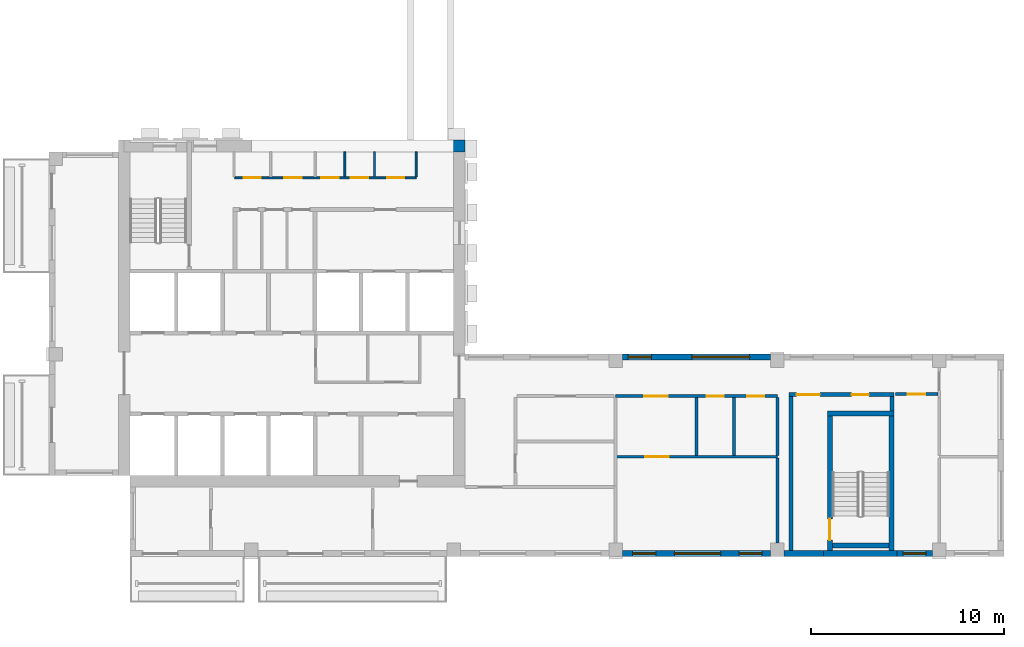
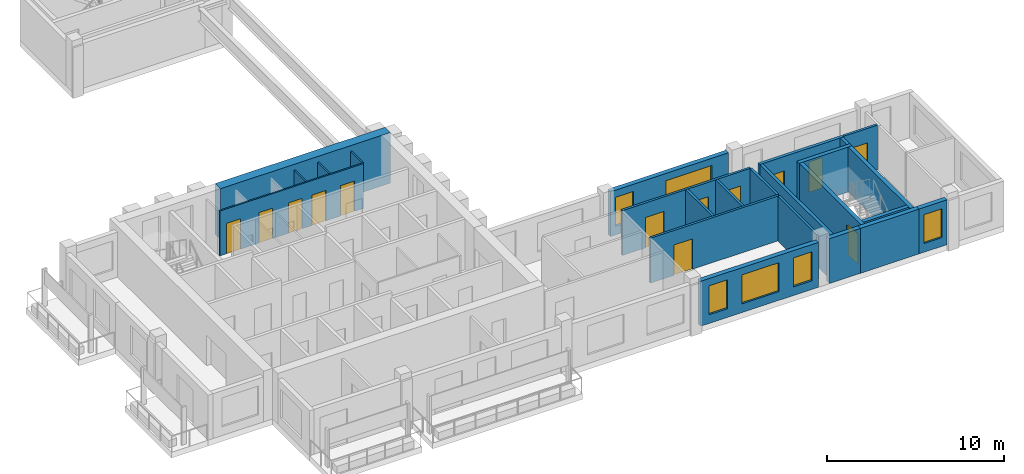
# One storey, part 4 of 9: 24 walls, 13 doors, 6 windows, 19 openings.
"""IFC4 building model written with IfcOpenShell, lengths in metres."""

from ifc_helpers import new_model, si_unit, direction, frame, frame_2d, origin, place, context, subcontext, project, spatial, rectangle, extrude, source, transform, mapped, material, layer, layer_set, type_object, element, fill, save


model = new_model("IFC4")

# Units and contexts
model_context = context("Model", 3, precision=1e-05, world=origin(), true_north=direction((0.0, 1.0)))
body_context = subcontext(model_context, "Body", "Model", "MODEL_VIEW")
ifc_project = project(units=[si_unit("LENGTHUNIT", "METRE"), si_unit("AREAUNIT", "SQUARE_METRE"), si_unit("VOLUMEUNIT", "CUBIC_METRE"), si_unit("PLANEANGLEUNIT", "RADIAN"), si_unit("MASSUNIT", "GRAM", prefix="KILO")], contexts=[model_context])

# Site, building, storey
site_placement = place(None, origin())
site = spatial("IfcSite", under=ifc_project, at=site_placement, CompositionType="ELEMENT")
building_placement = place(site_placement, origin())
building = spatial("IfcBuilding", under=site, at=building_placement, Name="Aurelian Terraces", CompositionType="ELEMENT")
storey_placement = place(building_placement, frame((0.0, 0.0, 319.5)))
storey = spatial("IfcBuildingStorey", under=building, at=storey_placement, Name="L74", CompositionType="ELEMENT", Elevation=319.5)

# Wall
ifc_material_1 = material(Name="Concrete fc' 55 MPa", Category="concrete")
ifc_layer_1 = layer(ifc_material_1, 0.6)
ifc_layer_set_1 = layer_set([ifc_layer_1], Name="CORE WALL 600 FC55")
wall_type_1 = type_object("IfcWallType", Name="CORE WALL 600 FC55", PredefinedType="SHEAR", material=ifc_layer_set_1)
shared_shape_1 = source(origin(), body_context, "Body", "SweptSolid", [
    extrude(rectangle(XDim=11.1, YDim=0.6, at=frame_2d((5.55, 0.0))), origin(), (0.0, 0.0, 1.0), 3.5),
])
wall_1_placement = place(storey_placement, frame((10.5, 21.3, 0.0), z_axis=(0.0, 0.0, 1.0), x_axis=(1.0, 0.0, 0.0)))
element("IfcWall", 1, at=wall_1_placement, inside=storey, type_object=wall_type_1, Name="Core wall N L74", PredefinedType="SHEAR", context=body_context, shape_type="MappedRepresentation", body=[
    mapped(shared_shape_1, transform((0.0, 0.0, 0.0), scale=1.0)),
])

# Wall, openings, windows
ifc_material_2 = material(Name="Terracotta rainscreen cladding", Category="masonry")
ifc_layer_2 = layer(ifc_material_2, 0.3)
ifc_layer_set_2 = layer_set([ifc_layer_2], Name="EW-300")
wall_type_2 = type_object("IfcWallType", Name="EW-300", PredefinedType="STANDARD", material=ifc_layer_set_2)
shared_shape_2 = source(origin(), body_context, "Body", "SweptSolid", [
    extrude(rectangle(XDim=7.7, YDim=0.3, at=frame_2d((3.85, 0.0))), origin(), (0.0, 0.0, 1.0), 3.1),
])
wall_2_placement = place(storey_placement, frame((29.75, 0.15, 0.0), z_axis=(0.0, 0.0, 1.0), x_axis=(1.0, 0.0, 0.0)))
wall_2 = element("IfcWall", 2, at=wall_2_placement, inside=storey, type_object=wall_type_2, Name="External wall L74 F01.4", PredefinedType="STANDARD", context=body_context, shape_type="MappedRepresentation", body=[
    mapped(shared_shape_2, transform((0.0, 0.0, 0.0), scale=1.0)),
])
shared_shape_3 = source(origin(), body_context, "Body", "SweptSolid", [
    extrude(rectangle(XDim=1.2, YDim=2.0, at=frame_2d((0.6, 1.0))), frame((0.0, 0.16, 0.0), z_axis=(0.0, -1.0, 0.0), x_axis=(1.0, 0.0, 0.0)), (0.0, 0.0, 1.0), 0.32),
])
opening_1_placement = place(wall_2_placement, frame((0.5375, 0.0, 0.6)))
opening_1 = element("IfcOpeningElement", 3, at=opening_1_placement, cuts=wall_2, Name="Opening W1220", PredefinedType="OPENING", context=body_context, shape_type="MappedRepresentation", body=[
    mapped(shared_shape_3, transform((0.0, 0.0, 0.0), scale=1.0)),
])
opening_2_placement = place(wall_2_placement, frame((6.0625, 0.0, 0.6)))
opening_2 = element("IfcOpeningElement", 4, at=opening_2_placement, cuts=wall_2, Name="Opening W1220", PredefinedType="OPENING", context=body_context, shape_type="MappedRepresentation", body=[
    mapped(shared_shape_3, transform((0.0, 0.0, 0.0), scale=1.0)),
])
shared_shape_4 = source(origin(), body_context, "Body", "SweptSolid", [
    extrude(rectangle(XDim=2.4, YDim=2.0, at=frame_2d((1.2, 1.0))), frame((0.0, 0.16, 0.0), z_axis=(0.0, -1.0, 0.0), x_axis=(1.0, 0.0, 0.0)), (0.0, 0.0, 1.0), 0.32),
])
opening_3_placement = place(wall_2_placement, frame((2.7, 0.0, 0.6)))
opening_3 = element("IfcOpeningElement", 5, at=opening_3_placement, cuts=wall_2, Name="Opening W2420", PredefinedType="OPENING", context=body_context, shape_type="MappedRepresentation", body=[
    mapped(shared_shape_4, transform((0.0, 0.0, 0.0), scale=1.0)),
])
ifc_material_3 = material(Name="Clear glazing", Category="glass")
window_type_1 = type_object("IfcWindowType", Name="W-1200x2000", PartitioningType="SINGLE_PANEL", PredefinedType="WINDOW", material=ifc_material_3)
shared_shape_5 = source(origin(), body_context, "Body", "SweptSolid", [
    extrude(rectangle(XDim=1.2, YDim=2.0, at=frame_2d((0.6, 1.0))), frame((0.0, 0.03, 0.0), z_axis=(0.0, -1.0, 0.0), x_axis=(1.0, 0.0, 0.0)), (0.0, 0.0, 1.0), 0.06),
])
window_1_placement = place(opening_1_placement, origin())
window_1 = element("IfcWindow", 6, at=window_1_placement, inside=storey, type_object=window_type_1, Name="Window L74 L74-F01-04-0", OverallHeight=2.0, OverallWidth=1.2, PartitioningType="SINGLE_PANEL", PredefinedType="WINDOW", context=body_context, shape_type="MappedRepresentation", body=[
    mapped(shared_shape_5, transform((0.0, 0.0, 0.0), scale=1.0)),
])
fill(opening_1, window_1)
window_2_placement = place(opening_2_placement, origin())
window_2 = element("IfcWindow", 7, at=window_2_placement, inside=storey, type_object=window_type_1, Name="Window L74 L74-F01-04-1", OverallHeight=2.0, OverallWidth=1.2, PartitioningType="SINGLE_PANEL", PredefinedType="WINDOW", context=body_context, shape_type="MappedRepresentation", body=[
    mapped(shared_shape_5, transform((0.0, 0.0, 0.0), scale=1.0)),
])
fill(opening_2, window_2)
window_type_2 = type_object("IfcWindowType", Name="W-2400x2000", PartitioningType="SINGLE_PANEL", PredefinedType="WINDOW", material=ifc_material_3)
shared_shape_6 = source(origin(), body_context, "Body", "SweptSolid", [
    extrude(rectangle(XDim=2.4, YDim=2.0, at=frame_2d((1.2, 1.0))), frame((0.0, 0.03, 0.0), z_axis=(0.0, -1.0, 0.0), x_axis=(1.0, 0.0, 0.0)), (0.0, 0.0, 1.0), 0.06),
])
window_3_placement = place(opening_3_placement, origin())
window_3 = element("IfcWindow", 8, at=window_3_placement, inside=storey, type_object=window_type_2, Name="Window L74 L74-F01-04-G0-21", OverallHeight=2.0, OverallWidth=2.4, PartitioningType="SINGLE_PANEL", PredefinedType="WINDOW", context=body_context, shape_type="MappedRepresentation", body=[
    mapped(shared_shape_6, transform((0.0, 0.0, 0.0), scale=1.0)),
])
fill(opening_3, window_3)

wall_3_placement = place(storey_placement, frame((37.45, 10.35, 0.0), z_axis=(0.0, 0.0, 1.0), x_axis=(-1.0, 0.0, 0.0)))
wall_3 = element("IfcWall", 9, at=wall_3_placement, inside=storey, type_object=wall_type_2, Name="External wall L74 F03.8", PredefinedType="STANDARD", context=body_context, shape_type="MappedRepresentation", body=[
    mapped(shared_shape_2, transform((0.0, 0.0, 0.0), scale=1.0)),
])
shared_shape_7 = source(origin(), body_context, "Body", "SweptSolid", [
    extrude(rectangle(XDim=3.0, YDim=2.0, at=frame_2d((1.5, 1.0))), frame((0.0, 0.16, 0.0), z_axis=(0.0, -1.0, 0.0), x_axis=(1.0, 0.0, 0.0)), (0.0, 0.0, 1.0), 0.32),
])
opening_4_placement = place(wall_3_placement, frame((1.09, 0.0, 0.6)))
opening_4 = element("IfcOpeningElement", 10, at=opening_4_placement, cuts=wall_3, Name="Opening W3020", PredefinedType="OPENING", context=body_context, shape_type="MappedRepresentation", body=[
    mapped(shared_shape_7, transform((0.0, 0.0, 0.0), scale=1.0)),
])
opening_5_placement = place(wall_3_placement, frame((6.19, 0.0, 0.6)))
opening_5 = element("IfcOpeningElement", 11, at=opening_5_placement, cuts=wall_3, Name="Opening W1220", PredefinedType="OPENING", context=body_context, shape_type="MappedRepresentation", body=[
    mapped(shared_shape_3, transform((0.0, 0.0, 0.0), scale=1.0)),
])
window_type_3 = type_object("IfcWindowType", Name="W-3000x2000", PartitioningType="SINGLE_PANEL", PredefinedType="WINDOW", material=ifc_material_3)
shared_shape_8 = source(origin(), body_context, "Body", "SweptSolid", [
    extrude(rectangle(XDim=3.0, YDim=2.0, at=frame_2d((1.5, 1.0))), frame((0.0, 0.03, 0.0), z_axis=(0.0, -1.0, 0.0), x_axis=(1.0, 0.0, 0.0)), (0.0, 0.0, 1.0), 0.06),
])
window_4_placement = place(opening_4_placement, origin())
window_4 = element("IfcWindow", 12, at=window_4_placement, inside=storey, type_object=window_type_3, Name="Window L74 L74-F03-08-3", OverallHeight=2.0, OverallWidth=3.0, PartitioningType="SINGLE_PANEL", PredefinedType="WINDOW", context=body_context, shape_type="MappedRepresentation", body=[
    mapped(shared_shape_8, transform((0.0, 0.0, 0.0), scale=1.0)),
])
fill(opening_4, window_4)
window_5_placement = place(opening_5_placement, origin())
window_5 = element("IfcWindow", 13, at=window_5_placement, inside=storey, type_object=window_type_1, Name="Window L74 L74-F03-08-4", OverallHeight=2.0, OverallWidth=1.2, PartitioningType="SINGLE_PANEL", PredefinedType="WINDOW", context=body_context, shape_type="MappedRepresentation", body=[
    mapped(shared_shape_5, transform((0.0, 0.0, 0.0), scale=1.0)),
])
fill(opening_5, window_5)

# Walls
shared_shape_9 = source(origin(), body_context, "Body", "SweptSolid", [
    extrude(rectangle(XDim=2.05, YDim=0.3, at=frame_2d((1.025, 0.0))), origin(), (0.0, 0.0, 1.0), 3.1),
])
wall_4_placement = place(storey_placement, frame((38.15, 0.15, 0.0), z_axis=(0.0, 0.0, 1.0), x_axis=(1.0, 0.0, 0.0)))
element("IfcWall", 14, at=wall_4_placement, inside=storey, type_object=wall_type_2, Name="External wall L74 F01.5", PredefinedType="STANDARD", context=body_context, shape_type="MappedRepresentation", body=[
    mapped(shared_shape_9, transform((0.0, 0.0, 0.0), scale=1.0)),
])
ifc_material_4 = material(Name="Concrete fc' 40 MPa", Category="concrete")
ifc_layer_3 = layer(ifc_material_4, 0.3)
ifc_layer_set_3 = layer_set([ifc_layer_3], Name="STAIR BAY WALL 300")
wall_type_3 = type_object("IfcWallType", Name="STAIR BAY WALL 300", PredefinedType="SOLIDWALL", material=ifc_layer_set_3)
shared_shape_10 = source(origin(), body_context, "Body", "SweptSolid", [
    extrude(rectangle(XDim=3.8, YDim=0.3, at=frame_2d((1.9, 0.0))), origin(), (0.0, 0.0, 1.0), 3.1),
])
wall_5_placement = place(storey_placement, frame((40.2, 0.15, 0.0), z_axis=(0.0, 0.0, 1.0), x_axis=(1.0, 0.0, 0.0)))
element("IfcWall", 15, at=wall_5_placement, inside=storey, type_object=wall_type_3, Name="Stair bay wall L74 F01.5", PredefinedType="SOLIDWALL", context=body_context, shape_type="MappedRepresentation", body=[
    mapped(shared_shape_10, transform((0.0, 0.0, 0.0), scale=1.0)),
])

# Wall, opening, window
shared_shape_11 = source(origin(), body_context, "Body", "SweptSolid", [
    extrude(rectangle(XDim=1.85, YDim=0.3, at=frame_2d((0.925, 0.0))), origin(), (0.0, 0.0, 1.0), 3.1),
])
wall_6_placement = place(storey_placement, frame((44.0, 0.15, 0.0), z_axis=(0.0, 0.0, 1.0), x_axis=(1.0, 0.0, 0.0)))
wall_6 = element("IfcWall", 16, at=wall_6_placement, inside=storey, type_object=wall_type_2, Name="External wall L74 F01.5", PredefinedType="STANDARD", context=body_context, shape_type="MappedRepresentation", body=[
    mapped(shared_shape_11, transform((0.0, 0.0, 0.0), scale=1.0)),
])
opening_6_placement = place(wall_6_placement, frame((0.325, 0.0, 0.6)))
opening_6 = element("IfcOpeningElement", 17, at=opening_6_placement, cuts=wall_6, Name="Opening W1220", PredefinedType="OPENING", context=body_context, shape_type="MappedRepresentation", body=[
    mapped(shared_shape_3, transform((0.0, 0.0, 0.0), scale=1.0)),
])
window_6_placement = place(opening_6_placement, origin())
window_6 = element("IfcWindow", 18, at=window_6_placement, inside=storey, type_object=window_type_1, Name="Window L74 L74-F01-05-P2", OverallHeight=2.0, OverallWidth=1.2, PartitioningType="SINGLE_PANEL", PredefinedType="WINDOW", context=body_context, shape_type="MappedRepresentation", body=[
    mapped(shared_shape_5, transform((0.0, 0.0, 0.0), scale=1.0)),
])
fill(opening_6, window_6)

# Wall, opening, door
ifc_layer_4 = layer(ifc_material_4, 0.25)
ifc_layer_set_4 = layer_set([ifc_layer_4], Name="Stair enclosure wall 250")
wall_type_4 = type_object("IfcWallType", Name="Stair enclosure wall 250", PredefinedType="SOLIDWALL", material=ifc_layer_set_4)
shared_shape_12 = source(origin(), body_context, "Body", "SweptSolid", [
    extrude(rectangle(XDim=7.0, YDim=0.25, at=frame_2d((3.5, 0.0))), origin(), (0.0, 0.0, 1.0), 3.1),
])
wall_7_placement = place(storey_placement, frame((40.525, 0.3, 0.0), z_axis=(0.0, 0.0, 1.0), x_axis=(0.0, 1.0, 0.0)))
wall_7 = element("IfcWall", 19, at=wall_7_placement, inside=storey, type_object=wall_type_4, Name="L74 core wall ST-S2-W", PredefinedType="SOLIDWALL", context=body_context, shape_type="MappedRepresentation", body=[
    mapped(shared_shape_12, transform((0.0, 0.0, 0.0), scale=1.0)),
])
shared_shape_13 = source(origin(), body_context, "Body", "SweptSolid", [
    extrude(rectangle(XDim=1.1, YDim=2.1, at=frame_2d((0.55, 1.05))), frame((0.0, 0.135, 0.0), z_axis=(0.0, -1.0, 0.0), x_axis=(1.0, 0.0, 0.0)), (0.0, 0.0, 1.0), 0.27),
])
opening_7_placement = place(wall_7_placement, frame((0.55, 0.0, 0.0)))
opening_7 = element("IfcOpeningElement", 20, at=opening_7_placement, cuts=wall_7, Name="Opening 67725", PredefinedType="OPENING", context=body_context, shape_type="MappedRepresentation", body=[
    mapped(shared_shape_13, transform((0.0, 0.0, 0.0), scale=1.0)),
])
ifc_material_5 = material(Name="Steel door leaf", Category="steel")
door_type_1 = type_object("IfcDoorType", Name="Core fire door 1100x2100", OperationType="SINGLE_SWING_LEFT", PredefinedType="DOOR", material=ifc_material_5)
shared_shape_14 = source(origin(), body_context, "Body", "SweptSolid", [
    extrude(rectangle(XDim=1.1, YDim=2.1, at=frame_2d((0.55, 1.05))), frame((0.0, 0.025, 0.0), z_axis=(0.0, -1.0, 0.0), x_axis=(1.0, 0.0, 0.0)), (0.0, 0.0, 1.0), 0.05),
])
door_1_placement = place(opening_7_placement, origin())
door_1 = element("IfcDoor", 21, at=door_1_placement, inside=storey, type_object=door_type_1, Name="Stair door 67725", OperationType="SINGLE_SWING_LEFT", OverallHeight=2.1, OverallWidth=1.1, PredefinedType="DOOR", context=body_context, shape_type="MappedRepresentation", body=[
    mapped(shared_shape_14, transform((0.0, 0.0, 0.0), scale=1.0)),
])
fill(opening_7, door_1)

# Walls
wall_8_placement = place(storey_placement, frame((43.725, 0.3, 0.0), z_axis=(0.0, 0.0, 1.0), x_axis=(0.0, 1.0, 0.0)))
element("IfcWall", 22, at=wall_8_placement, inside=storey, type_object=wall_type_4, Name="L74 core wall ST-S2-E", PredefinedType="SOLIDWALL", context=body_context, shape_type="MappedRepresentation", body=[
    mapped(shared_shape_12, transform((0.0, 0.0, 0.0), scale=1.0)),
])
shared_shape_15 = source(origin(), body_context, "Body", "SweptSolid", [
    extrude(rectangle(XDim=3.45, YDim=0.25, at=frame_2d((1.725, 0.0))), origin(), (0.0, 0.0, 1.0), 3.1),
])
wall_9_placement = place(storey_placement, frame((40.4, 7.425, 0.0), z_axis=(0.0, 0.0, 1.0), x_axis=(1.0, 0.0, 0.0)))
element("IfcWall", 23, at=wall_9_placement, inside=storey, type_object=wall_type_4, Name="L74 core wall ST-S2-N", PredefinedType="SOLIDWALL", context=body_context, shape_type="MappedRepresentation", body=[
    mapped(shared_shape_15, transform((0.0, 0.0, 0.0), scale=1.0)),
])
ifc_material_6 = material(Name="Gypsum board on steel studs", Category="steel")
ifc_layer_5 = layer(ifc_material_6, 0.2)
ifc_layer_set_5 = layer_set([ifc_layer_5], Name="Core partition 200")
wall_type_5 = type_object("IfcWallType", Name="Core partition 200", PredefinedType="PARTITIONING", material=ifc_layer_set_5)
shared_shape_16 = source(origin(), body_context, "Body", "SweptSolid", [
    extrude(rectangle(XDim=8.0, YDim=0.2, at=frame_2d((4.0, 0.0))), origin(), (0.0, 0.0, 1.0), 3.1),
])
wall_10_placement = place(storey_placement, frame((38.5, 0.3, 0.0), z_axis=(0.0, 0.0, 1.0), x_axis=(0.0, 1.0, 0.0)))
element("IfcWall", 24, at=wall_10_placement, inside=storey, type_object=wall_type_5, Name="L74 core wall ST-S2-VW", PredefinedType="PARTITIONING", context=body_context, shape_type="MappedRepresentation", body=[
    mapped(shared_shape_16, transform((0.0, 0.0, 0.0), scale=1.0)),
])

# Wall, openings, doors
shared_shape_17 = source(origin(), body_context, "Body", "SweptSolid", [
    extrude(rectangle(XDim=5.45, YDim=0.2, at=frame_2d((2.725, 0.0))), origin(), (0.0, 0.0, 1.0), 3.1),
])
wall_11_placement = place(storey_placement, frame((38.4, 8.4, 0.0), z_axis=(0.0, 0.0, 1.0), x_axis=(1.0, 0.0, 0.0)))
wall_11 = element("IfcWall", 25, at=wall_11_placement, inside=storey, type_object=wall_type_5, Name="L74 core wall ST-S2-BN", PredefinedType="PARTITIONING", context=body_context, shape_type="MappedRepresentation", body=[
    mapped(shared_shape_17, transform((0.0, 0.0, 0.0), scale=1.0)),
])
shared_shape_18 = source(origin(), body_context, "Body", "SweptSolid", [
    extrude(rectangle(XDim=1.2, YDim=2.1, at=frame_2d((0.6, 1.05))), frame((0.0, 0.11, 0.0), z_axis=(0.0, -1.0, 0.0), x_axis=(1.0, 0.0, 0.0)), (0.0, 0.0, 1.0), 0.22),
])
opening_8_placement = place(wall_11_placement, frame((0.4, 0.0, 0.0)))
opening_8 = element("IfcOpeningElement", 26, at=opening_8_placement, cuts=wall_11, Name="Opening 67726", PredefinedType="OPENING", context=body_context, shape_type="MappedRepresentation", body=[
    mapped(shared_shape_18, transform((0.0, 0.0, 0.0), scale=1.0)),
])
shared_shape_19 = source(origin(), body_context, "Body", "SweptSolid", [
    extrude(rectangle(XDim=0.9, YDim=2.1, at=frame_2d((0.45, 1.05))), frame((0.0, 0.11, 0.0), z_axis=(0.0, -1.0, 0.0), x_axis=(1.0, 0.0, 0.0)), (0.0, 0.0, 1.0), 0.22),
])
opening_9_placement = place(wall_11_placement, frame((3.25, 0.0, 0.0)))
opening_9 = element("IfcOpeningElement", 27, at=opening_9_placement, cuts=wall_11, Name="Opening 67727", PredefinedType="OPENING", context=body_context, shape_type="MappedRepresentation", body=[
    mapped(shared_shape_19, transform((0.0, 0.0, 0.0), scale=1.0)),
])
door_type_2 = type_object("IfcDoorType", Name="Core riser door 900x2100", OperationType="SINGLE_SWING_LEFT", PredefinedType="DOOR", material=ifc_material_5)
shared_shape_20 = source(origin(), body_context, "Body", "SweptSolid", [
    extrude(rectangle(XDim=0.9, YDim=2.1, at=frame_2d((0.45, 1.05))), frame((0.0, 0.025, 0.0), z_axis=(0.0, -1.0, 0.0), x_axis=(1.0, 0.0, 0.0)), (0.0, 0.0, 1.0), 0.05),
])
door_2_placement = place(opening_9_placement, origin())
door_2 = element("IfcDoor", 28, at=door_2_placement, inside=storey, type_object=door_type_2, Name="Riser door 67727", OperationType="SINGLE_SWING_LEFT", OverallHeight=2.1, OverallWidth=0.9, PredefinedType="DOOR", context=body_context, shape_type="MappedRepresentation", body=[
    mapped(shared_shape_20, transform((0.0, 0.0, 0.0), scale=1.0)),
])
fill(opening_9, door_2)
door_type_3 = type_object("IfcDoorType", Name="Core fire door 1200x2100 right", OperationType="SINGLE_SWING_RIGHT", PredefinedType="DOOR", material=ifc_material_5)
shared_shape_21 = source(origin(), body_context, "Body", "SweptSolid", [
    extrude(rectangle(XDim=1.2, YDim=2.1, at=frame_2d((0.6, 1.05))), frame((0.0, 0.025, 0.0), z_axis=(0.0, -1.0, 0.0), x_axis=(1.0, 0.0, 0.0)), (0.0, 0.0, 1.0), 0.05),
])
door_3_placement = place(opening_8_placement, origin())
door_3 = element("IfcDoor", 29, at=door_3_placement, inside=storey, type_object=door_type_3, Name="Vestibule door 67726", OperationType="SINGLE_SWING_RIGHT", OverallHeight=2.1, OverallWidth=1.2, PredefinedType="DOOR", context=body_context, shape_type="MappedRepresentation", body=[
    mapped(shared_shape_21, transform((0.0, 0.0, 0.0), scale=1.0)),
])
fill(opening_8, door_3)

# Walls
shared_shape_22 = source(origin(), body_context, "Body", "SweptSolid", [
    extrude(rectangle(XDim=0.75, YDim=0.2, at=frame_2d((0.375, 0.0))), origin(), (0.0, 0.0, 1.0), 3.1),
])
wall_12_placement = place(storey_placement, frame((43.75, 7.55, 0.0), z_axis=(0.0, 0.0, 1.0), x_axis=(0.0, 1.0, 0.0)))
element("IfcWall", 30, at=wall_12_placement, inside=storey, type_object=wall_type_5, Name="L74 core wall ST-S2-RE", PredefinedType="PARTITIONING", context=body_context, shape_type="MappedRepresentation", body=[
    mapped(shared_shape_22, transform((0.0, 0.0, 0.0), scale=1.0)),
])
shared_shape_23 = source(origin(), body_context, "Body", "SweptSolid", [
    extrude(rectangle(XDim=2.95, YDim=0.25, at=frame_2d((1.475, 0.0))), origin(), (0.0, 0.0, 1.0), 3.1),
])
wall_13_placement = place(storey_placement, frame((40.65, 0.575, 0.0), z_axis=(0.0, 0.0, 1.0), x_axis=(1.0, 0.0, 0.0)))
element("IfcWall", 31, at=wall_13_placement, inside=storey, type_object=wall_type_4, Name="L74 core wall ST-S2-SS", PredefinedType="SOLIDWALL", context=body_context, shape_type="MappedRepresentation", body=[
    mapped(shared_shape_23, transform((0.0, 0.0, 0.0), scale=1.0)),
])
ifc_layer_6 = layer(ifc_material_6, 0.1)
ifc_layer_set_6 = layer_set([ifc_layer_6], Name="Core partition 100")
wall_type_6 = type_object("IfcWallType", Name="Core partition 100", PredefinedType="PARTITIONING", material=ifc_layer_set_6)
shared_shape_24 = source(origin(), body_context, "Body", "SweptSolid", [
    extrude(rectangle(XDim=1.3, YDim=0.1, at=frame_2d((0.65, 0.0))), origin(), (0.0, 0.0, 1.0), 3.1),
])
for number, where, z_axis, x_axis, name in (
    (32, (15.3516, 19.7, 0.0), (0.0, 0.0, 1.0), (0.0, 1.0, 0.0), "L74 core wall SV-NP3"),
    (33, (16.8926, 19.7, 0.0), (0.0, 0.0, 1.0), (0.0, 1.0, 0.0), "L74 core wall SV-NP4"),
    (34, (19.05, 19.7, 0.0), (0.0, 0.0, 1.0), (0.0, 1.0, 0.0), "L74 core wall SV-NW1"),
):
    element("IfcWall", number, at=place(storey_placement, frame(where, z_axis=z_axis, x_axis=x_axis)), inside=storey, type_object=wall_type_6, Name=name, PredefinedType="PARTITIONING", context=body_context, shape_type="MappedRepresentation", body=[
        mapped(shared_shape_24, transform((0.0, 0.0, 0.0), scale=1.0)),
    ])

# Wall, openings, doors
shared_shape_25 = source(origin(), body_context, "Body", "SweptSolid", [
    extrude(rectangle(XDim=9.4, YDim=0.1, at=frame_2d((4.7, 0.0))), origin(), (0.0, 0.0, 1.0), 3.1),
])
wall_14_placement = place(storey_placement, frame((9.65, 19.65, 0.0), z_axis=(0.0, 0.0, 1.0), x_axis=(1.0, 0.0, 0.0)))
wall_14 = element("IfcWall", 35, at=wall_14_placement, inside=storey, type_object=wall_type_6, Name="L74 core wall SV-N1", PredefinedType="PARTITIONING", context=body_context, shape_type="MappedRepresentation", body=[
    mapped(shared_shape_25, transform((0.0, 0.0, 0.0), scale=1.0)),
])
shared_shape_26 = source(origin(), body_context, "Body", "SweptSolid", [
    extrude(rectangle(XDim=0.9, YDim=2.1, at=frame_2d((0.45, 1.05))), frame((0.0, 0.06, 0.0), z_axis=(0.0, -1.0, 0.0), x_axis=(1.0, 0.0, 0.0)), (0.0, 0.0, 1.0), 0.12),
])
opening_10_placement = place(wall_14_placement, frame((0.4496, 0.0, 0.0)))
opening_10 = element("IfcOpeningElement", 36, at=opening_10_placement, cuts=wall_14, Name="Opening 67718", PredefinedType="OPENING", context=body_context, shape_type="MappedRepresentation", body=[
    mapped(shared_shape_26, transform((0.0, 0.0, 0.0), scale=1.0)),
])
opening_11_placement = place(wall_14_placement, frame((2.5549, 0.0, 0.0)))
opening_11 = element("IfcOpeningElement", 37, at=opening_11_placement, cuts=wall_14, Name="Opening 67719", PredefinedType="OPENING", context=body_context, shape_type="MappedRepresentation", body=[
    mapped(shared_shape_26, transform((0.0, 0.0, 0.0), scale=1.0)),
])
opening_12_placement = place(wall_14_placement, frame((4.4812, 0.0, 0.0)))
opening_12 = element("IfcOpeningElement", 38, at=opening_12_placement, cuts=wall_14, Name="Opening 67720", PredefinedType="OPENING", context=body_context, shape_type="MappedRepresentation", body=[
    mapped(shared_shape_26, transform((0.0, 0.0, 0.0), scale=1.0)),
])
opening_13_placement = place(wall_14_placement, frame((6.0221, 0.0, 0.0)))
opening_13 = element("IfcOpeningElement", 39, at=opening_13_placement, cuts=wall_14, Name="Opening 67721", PredefinedType="OPENING", context=body_context, shape_type="MappedRepresentation", body=[
    mapped(shared_shape_26, transform((0.0, 0.0, 0.0), scale=1.0)),
])
opening_14_placement = place(wall_14_placement, frame((7.8963, 0.0, 0.0)))
opening_14 = element("IfcOpeningElement", 40, at=opening_14_placement, cuts=wall_14, Name="Opening 67722", PredefinedType="OPENING", context=body_context, shape_type="MappedRepresentation", body=[
    mapped(shared_shape_26, transform((0.0, 0.0, 0.0), scale=1.0)),
])
door_type_4 = type_object("IfcDoorType", Name="Core service door 900x2100 right", OperationType="SINGLE_SWING_RIGHT", PredefinedType="DOOR", material=ifc_material_5)
door_4_placement = place(opening_10_placement, origin())
door_4 = element("IfcDoor", 41, at=door_4_placement, inside=storey, type_object=door_type_4, Name="Room door 67718", OperationType="SINGLE_SWING_RIGHT", OverallHeight=2.1, OverallWidth=0.9, PredefinedType="DOOR", context=body_context, shape_type="MappedRepresentation", body=[
    mapped(shared_shape_20, transform((0.0, 0.0, 0.0), scale=1.0)),
])
fill(opening_10, door_4)
door_type_5 = type_object("IfcDoorType", Name="Core service door 900x2100", OperationType="SINGLE_SWING_LEFT", PredefinedType="DOOR", material=ifc_material_5)
door_5_placement = place(opening_11_placement, origin())
door_5 = element("IfcDoor", 42, at=door_5_placement, inside=storey, type_object=door_type_5, Name="Room door 67719", OperationType="SINGLE_SWING_LEFT", OverallHeight=2.1, OverallWidth=0.9, PredefinedType="DOOR", context=body_context, shape_type="MappedRepresentation", body=[
    mapped(shared_shape_20, transform((0.0, 0.0, 0.0), scale=1.0)),
])
fill(opening_11, door_5)
door_6_placement = place(opening_12_placement, origin())
door_6 = element("IfcDoor", 43, at=door_6_placement, inside=storey, type_object=door_type_4, Name="Room door 67720", OperationType="SINGLE_SWING_RIGHT", OverallHeight=2.1, OverallWidth=0.9, PredefinedType="DOOR", context=body_context, shape_type="MappedRepresentation", body=[
    mapped(shared_shape_20, transform((0.0, 0.0, 0.0), scale=1.0)),
])
fill(opening_12, door_6)
door_7_placement = place(opening_13_placement, origin())
door_7 = element("IfcDoor", 44, at=door_7_placement, inside=storey, type_object=door_type_5, Name="Room door 67721", OperationType="SINGLE_SWING_LEFT", OverallHeight=2.1, OverallWidth=0.9, PredefinedType="DOOR", context=body_context, shape_type="MappedRepresentation", body=[
    mapped(shared_shape_20, transform((0.0, 0.0, 0.0), scale=1.0)),
])
fill(opening_13, door_7)
door_8_placement = place(opening_14_placement, origin())
door_8 = element("IfcDoor", 45, at=door_8_placement, inside=storey, type_object=door_type_4, Name="Room door 67722", OperationType="SINGLE_SWING_RIGHT", OverallHeight=2.1, OverallWidth=0.9, PredefinedType="DOOR", context=body_context, shape_type="MappedRepresentation", body=[
    mapped(shared_shape_20, transform((0.0, 0.0, 0.0), scale=1.0)),
])
fill(opening_14, door_8)

# Wall, opening, door
ifc_layer_7 = layer(ifc_material_6, 0.15)
ifc_layer_set_7 = layer_set([ifc_layer_7], Name="Partition 150")
wall_type_7 = type_object("IfcWallType", Name="Partition 150", PredefinedType="PARTITIONING", material=ifc_layer_set_7)
shared_shape_27 = source(origin(), body_context, "Body", "SweptSolid", [
    extrude(rectangle(XDim=8.4, YDim=0.15, at=frame_2d((4.2, 0.0))), origin(), (0.0, 0.0, 1.0), 3.1),
])
wall_15_placement = place(storey_placement, frame((37.8, 5.175, 0.0), z_axis=(0.0, 0.0, 1.0), x_axis=(-1.0, 0.0, 0.0)))
wall_15 = element("IfcWall", 46, at=wall_15_placement, inside=storey, type_object=wall_type_7, Name="Partition", PredefinedType="PARTITIONING", context=body_context, shape_type="MappedRepresentation", body=[
    mapped(shared_shape_27, transform((0.0, 0.0, 0.0), scale=1.0)),
])
shared_shape_28 = source(origin(), body_context, "Body", "SweptSolid", [
    extrude(rectangle(XDim=1.2, YDim=2.1, at=frame_2d((0.6, 1.05))), frame((0.0, 0.085, 0.0), z_axis=(0.0, -1.0, 0.0), x_axis=(1.0, 0.0, 0.0)), (0.0, 0.0, 1.0), 0.17),
])
opening_15_placement = place(wall_15_placement, frame((5.6476, 0.0, 0.0)))
opening_15 = element("IfcOpeningElement", 47, at=opening_15_placement, cuts=wall_15, Name="Opening 774008", PredefinedType="OPENING", context=body_context, shape_type="MappedRepresentation", body=[
    mapped(shared_shape_28, transform((0.0, 0.0, 0.0), scale=1.0)),
])
ifc_material_7 = material(Name="Timber door leaf", Category="wood")
door_type_6 = type_object("IfcDoorType", Name="Room door 1200x2100 right", OperationType="SINGLE_SWING_RIGHT", PredefinedType="DOOR", material=ifc_material_7)
door_9_placement = place(opening_15_placement, origin())
door_9 = element("IfcDoor", 48, at=door_9_placement, inside=storey, type_object=door_type_6, Name="Door 774008", OperationType="SINGLE_SWING_RIGHT", OverallHeight=2.1, OverallWidth=1.2, PredefinedType="DOOR", context=body_context, shape_type="MappedRepresentation", body=[
    mapped(shared_shape_21, transform((0.0, 0.0, 0.0), scale=1.0)),
])
fill(opening_15, door_9)

# Wall, openings, doors
ifc_layer_8 = layer(ifc_material_6, 0.15)
ifc_layer_set_8 = layer_set([ifc_layer_8], Name="Fire partition 150")
wall_type_8 = type_object("IfcWallType", Name="Fire partition 150", PredefinedType="PARTITIONING", material=ifc_layer_set_8)
wall_16_placement = place(storey_placement, frame((37.8, 8.325, 0.0), z_axis=(0.0, 0.0, 1.0), x_axis=(-1.0, 0.0, 0.0)))
wall_16 = element("IfcWall", 49, at=wall_16_placement, inside=storey, type_object=wall_type_8, Name="Corridor wall", PredefinedType="PARTITIONING", context=body_context, shape_type="MappedRepresentation", body=[
    mapped(shared_shape_27, transform((0.0, 0.0, 0.0), scale=1.0)),
])
opening_16_placement = place(wall_16_placement, frame((5.6976, 0.0, 0.0)))
opening_16 = element("IfcOpeningElement", 50, at=opening_16_placement, cuts=wall_16, Name="Opening 774007", PredefinedType="OPENING", context=body_context, shape_type="MappedRepresentation", body=[
    mapped(shared_shape_28, transform((0.0, 0.0, 0.0), scale=1.0)),
])
shared_shape_29 = source(origin(), body_context, "Body", "SweptSolid", [
    extrude(rectangle(XDim=0.9, YDim=2.1, at=frame_2d((0.45, 1.05))), frame((0.0, 0.085, 0.0), z_axis=(0.0, -1.0, 0.0), x_axis=(1.0, 0.0, 0.0)), (0.0, 0.0, 1.0), 0.17),
])
opening_17_placement = place(wall_16_placement, frame((2.7734, 0.0, 0.0)))
opening_17 = element("IfcOpeningElement", 51, at=opening_17_placement, cuts=wall_16, Name="Opening 774009", PredefinedType="OPENING", context=body_context, shape_type="MappedRepresentation", body=[
    mapped(shared_shape_29, transform((0.0, 0.0, 0.0), scale=1.0)),
])
opening_18_placement = place(wall_16_placement, frame((0.6758, 0.0, 0.0)))
opening_18 = element("IfcOpeningElement", 52, at=opening_18_placement, cuts=wall_16, Name="Opening 774010", PredefinedType="OPENING", context=body_context, shape_type="MappedRepresentation", body=[
    mapped(shared_shape_29, transform((0.0, 0.0, 0.0), scale=1.0)),
])
door_type_7 = type_object("IfcDoorType", Name="Entrance fire door 900x2100 left", OperationType="SINGLE_SWING_LEFT", PredefinedType="DOOR", material=ifc_material_5)
door_10_placement = place(opening_17_placement, origin())
door_10 = element("IfcDoor", 53, at=door_10_placement, inside=storey, type_object=door_type_7, Name="Door 774009", OperationType="SINGLE_SWING_LEFT", OverallHeight=2.1, OverallWidth=0.9, PredefinedType="DOOR", context=body_context, shape_type="MappedRepresentation", body=[
    mapped(shared_shape_20, transform((0.0, 0.0, 0.0), scale=1.0)),
])
fill(opening_17, door_10)
door_type_8 = type_object("IfcDoorType", Name="Entrance fire door 900x2100 right", OperationType="SINGLE_SWING_RIGHT", PredefinedType="DOOR", material=ifc_material_5)
door_11_placement = place(opening_18_placement, origin())
door_11 = element("IfcDoor", 54, at=door_11_placement, inside=storey, type_object=door_type_8, Name="Door 774010", OperationType="SINGLE_SWING_RIGHT", OverallHeight=2.1, OverallWidth=0.9, PredefinedType="DOOR", context=body_context, shape_type="MappedRepresentation", body=[
    mapped(shared_shape_20, transform((0.0, 0.0, 0.0), scale=1.0)),
])
fill(opening_18, door_11)
door_type_9 = type_object("IfcDoorType", Name="Entrance fire door 1200x2100 left", OperationType="SINGLE_SWING_LEFT", PredefinedType="DOOR", material=ifc_material_5)
door_12_placement = place(opening_16_placement, origin())
door_12 = element("IfcDoor", 55, at=door_12_placement, inside=storey, type_object=door_type_9, Name="Door 774007", OperationType="SINGLE_SWING_LEFT", OverallHeight=2.1, OverallWidth=1.2, PredefinedType="DOOR", context=body_context, shape_type="MappedRepresentation", body=[
    mapped(shared_shape_21, transform((0.0, 0.0, 0.0), scale=1.0)),
])
fill(opening_16, door_12)

# Wall, opening, door
shared_shape_30 = source(origin(), body_context, "Body", "SweptSolid", [
    extrude(rectangle(XDim=2.2, YDim=0.15, at=frame_2d((1.1, 0.0))), origin(), (0.0, 0.0, 1.0), 3.1),
])
wall_17_placement = place(storey_placement, frame((46.125, 8.425, 0.0), z_axis=(0.0, 0.0, 1.0), x_axis=(-1.0, 0.0, 0.0)))
wall_17 = element("IfcWall", 56, at=wall_17_placement, inside=storey, type_object=wall_type_7, Name="Partition", PredefinedType="PARTITIONING", context=body_context, shape_type="MappedRepresentation", body=[
    mapped(shared_shape_30, transform((0.0, 0.0, 0.0), scale=1.0)),
])
opening_19_placement = place(wall_17_placement, frame((0.65, 0.0, 0.0)))
opening_19 = element("IfcOpeningElement", 57, at=opening_19_placement, cuts=wall_17, Name="Opening 774006", PredefinedType="OPENING", context=body_context, shape_type="MappedRepresentation", body=[
    mapped(shared_shape_29, transform((0.0, 0.0, 0.0), scale=1.0)),
])
door_type_10 = type_object("IfcDoorType", Name="Room door 900x2100 right", OperationType="SINGLE_SWING_RIGHT", PredefinedType="DOOR", material=ifc_material_7)
door_13_placement = place(opening_19_placement, origin())
door_13 = element("IfcDoor", 58, at=door_13_placement, inside=storey, type_object=door_type_10, Name="Door 774006", OperationType="SINGLE_SWING_RIGHT", OverallHeight=2.1, OverallWidth=0.9, PredefinedType="DOOR", context=body_context, shape_type="MappedRepresentation", body=[
    mapped(shared_shape_20, transform((0.0, 0.0, 0.0), scale=1.0)),
])
fill(opening_19, door_13)

# Walls
shared_shape_31 = source(origin(), body_context, "Body", "SweptSolid", [
    extrude(rectangle(XDim=3.0, YDim=0.15, at=frame_2d((1.5, 0.0))), origin(), (0.0, 0.0, 1.0), 3.1),
])
for number, where, z_axis, x_axis, name in (
    (59, (33.6049, 5.25, 0.0), (0.0, 0.0, 1.0), (0.0, 1.0, 0.0), "Partition"),
    (60, (35.5483, 5.25, 0.0), (0.0, 0.0, 1.0), (0.0, 1.0, 0.0), "Partition"),
):
    element("IfcWall", number, at=place(storey_placement, frame(where, z_axis=z_axis, x_axis=x_axis)), inside=storey, type_object=wall_type_7, Name=name, PredefinedType="PARTITIONING", context=body_context, shape_type="MappedRepresentation", body=[
        mapped(shared_shape_31, transform((0.0, 0.0, 0.0), scale=1.0)),
    ])
wall_18_placement = place(storey_placement, frame((37.8, 5.25, 0.0), z_axis=(0.0, 0.0, 1.0), x_axis=(0.0, 1.0, 0.0)))
element("IfcWall", 61, at=wall_18_placement, inside=storey, type_object=wall_type_8, Name="Party wall", PredefinedType="PARTITIONING", context=body_context, shape_type="MappedRepresentation", body=[
    mapped(shared_shape_31, transform((0.0, 0.0, 0.0), scale=1.0)),
])
shared_shape_32 = source(origin(), body_context, "Body", "SweptSolid", [
    extrude(rectangle(XDim=4.401, YDim=0.15, at=frame_2d((2.2005, 0.0))), origin(), (0.0, 0.0, 1.0), 3.1),
])
wall_19_placement = place(storey_placement, frame((37.8, 0.699, 0.0), z_axis=(0.0, 0.0, 1.0), x_axis=(0.0, 1.0, 0.0)))
element("IfcWall", 62, at=wall_19_placement, inside=storey, type_object=wall_type_8, Name="Party wall", PredefinedType="PARTITIONING", context=body_context, shape_type="MappedRepresentation", body=[
    mapped(shared_shape_32, transform((0.0, 0.0, 0.0), scale=1.0)),
])

save(model, "model.ifc")
